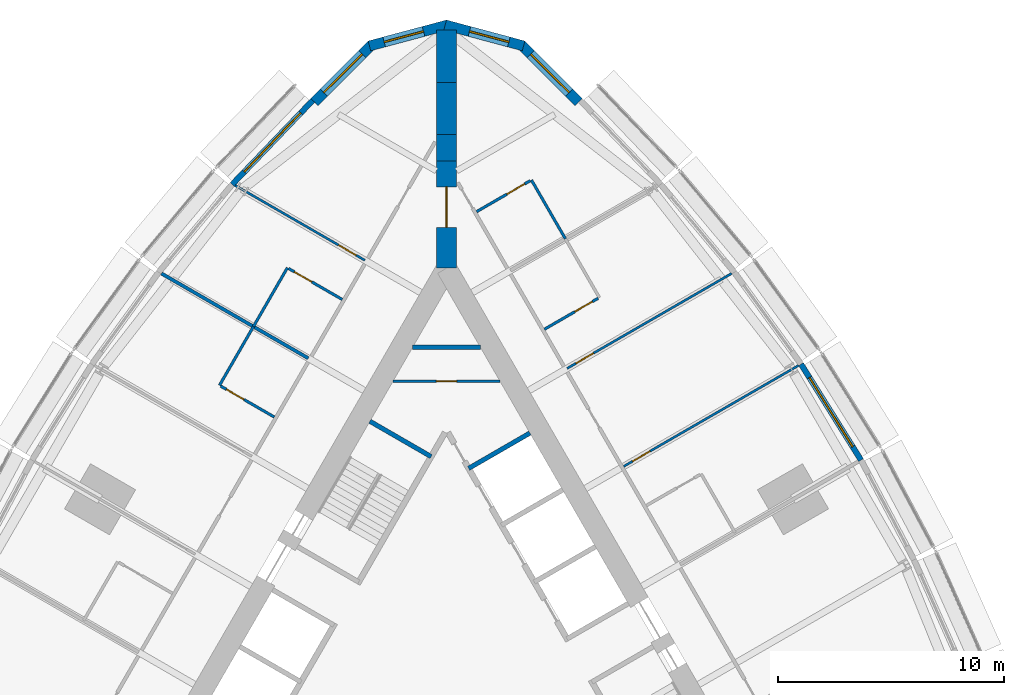
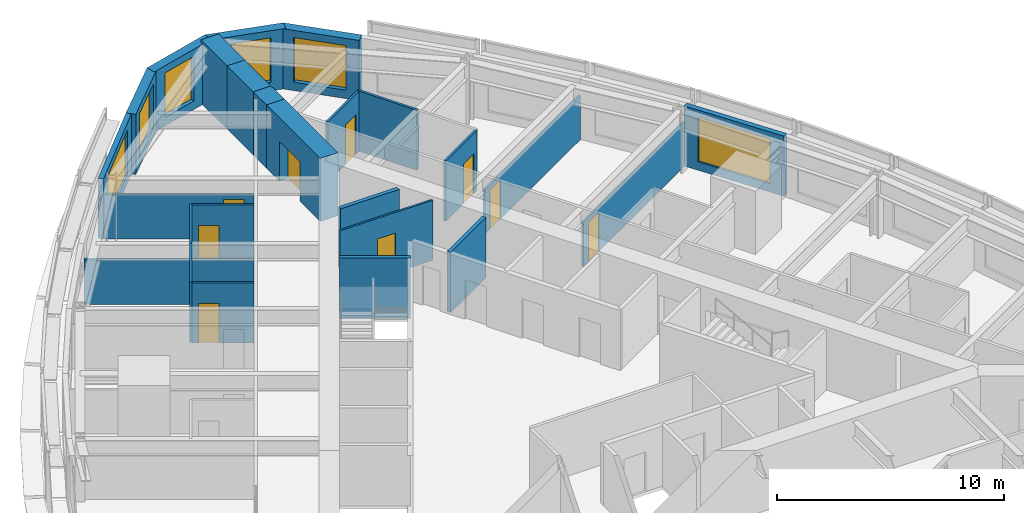
# One storey, part 12 of 14: 25 walls, 9 doors, 6 windows, 15 openings.
"""IFC4 building model written with IfcOpenShell, lengths in metres."""

from ifc_helpers import new_model, si_unit, direction, frame, frame_2d, origin, place, context, subcontext, project, spatial, polyline, rectangle, outline, extrude, material, layer, layer_set, type_object, element, fill, save


model = new_model("IFC4")

# Units and contexts
model_context = context("Model", 3, precision=1e-05, world=origin(), true_north=direction((0.0, 1.0)))
body_context = subcontext(model_context, "Body", "Model", "MODEL_VIEW")
ifc_project = project(units=[si_unit("LENGTHUNIT", "METRE"), si_unit("AREAUNIT", "SQUARE_METRE"), si_unit("VOLUMEUNIT", "CUBIC_METRE"), si_unit("PLANEANGLEUNIT", "RADIAN"), si_unit("MASSUNIT", "GRAM", prefix="KILO")], contexts=[model_context])

# Site, building, storey
site_placement = place(None, origin())
site = spatial("IfcSite", under=ifc_project, at=site_placement, CompositionType="ELEMENT")
building_placement = place(site_placement, origin())
building = spatial("IfcBuilding", under=site, at=building_placement, Name="Trikona Tower", CompositionType="ELEMENT")
storey_placement = place(building_placement, frame((0.0, 0.0, 182.699951171875)))
storey = spatial("IfcBuildingStorey", under=building, at=storey_placement, Name="L49", CompositionType="ELEMENT", Elevation=182.699951171875)

# Wall, opening, door
ifc_material_1 = material(Name="Metal stud and cement board", Category="gypsum")
ifc_layer_1 = layer(ifc_material_1, 0.1201171875)
ifc_layer_set_1 = layer_set([ifc_layer_1], Name="Bathroom wall 120")
wall_type_1 = type_object("IfcWallType", Name="Bathroom wall 120", PredefinedType="PLUMBINGWALL", material=ifc_layer_set_1)
wall_1_placement = place(storey_placement, frame((4.32861328125, 16.35546875, 0.0), z_axis=(0.0, 0.0, 1.0), x_axis=(0.866035715982, 0.499982138324, 0.0)))
wall_1 = element("IfcWall", 1, at=wall_1_placement, inside=storey, type_object=wall_type_1, Name="Bathroom wall 4907.2", PredefinedType="PLUMBINGWALL", context=body_context, shape_type="SweptSolid", body=[
    extrude(rectangle(XDim=2.73974609375, YDim=0.1201171875, at=frame_2d((1.369873046875, 0.0))), origin(), (0.0, 0.0, 1.0), 3.235107421875),
])
opening_1_placement = place(wall_1_placement, frame((1.550048828125, 0.0, 0.0)))
opening_1 = element("IfcOpeningElement", 2, at=opening_1_placement, cuts=wall_1, Name="Opening D2", PredefinedType="OPENING", context=body_context, shape_type="SweptSolid", body=[
    extrude(rectangle(XDim=0.89990234375, YDim=2.1298828125, at=frame_2d((0.449951171875, 1.06494140625))), frame((0.0, 0.070068359375, 0.0), z_axis=(0.0, -1.0, 0.0), x_axis=(1.0, 0.0, 0.0)), (0.0, 0.0, 1.0), 0.14013671875),
])
ifc_material_2 = material(Name="Steel door frame with solid-core timber leaf", Category="steel")
door_type_1 = type_object("IfcDoorType", Name="Bathroom door 900x2130", OperationType="SLIDING_TO_LEFT", PredefinedType="DOOR", material=ifc_material_2)
door_1_placement = place(opening_1_placement, origin())
door_1 = element("IfcDoor", 3, at=door_1_placement, inside=storey, type_object=door_type_1, Name="Bathroom door 4907.2", OperationType="SLIDING_TO_LEFT", OverallHeight=2.1298828125, OverallWidth=0.89990234375, PredefinedType="DOOR", context=body_context, shape_type="SweptSolid", body=[
    extrude(rectangle(XDim=0.89990234375, YDim=2.1298828125, at=frame_2d((0.449951171875, 1.06494140625))), frame((0.0, 0.02490234375, 0.0), z_axis=(0.0, -1.0, 0.0), x_axis=(1.0, 0.0, 0.0)), (0.0, 0.0, 1.0), 0.050048828125),
])
fill(opening_1, door_1)

# Wall
wall_2_placement = place(storey_placement, frame((5.25341796875, 20.353515625, 0.0), z_axis=(0.0, 0.0, 1.0), x_axis=(-0.499990139034, 0.866031096941, 0.0)))
element("IfcWall", 4, at=wall_2_placement, inside=storey, type_object=wall_type_1, Name="Bathroom wall 4908", PredefinedType="PLUMBINGWALL", context=body_context, shape_type="SweptSolid", body=[
    extrude(rectangle(XDim=3.0, YDim=0.1201171875, at=frame_2d((1.5, 0.0))), origin(), (0.0, 0.0, 1.0), 3.235107421875),
])

# Wall, opening, door
wall_3_placement = place(storey_placement, frame((1.32861328125, 21.551513671875, 0.0), z_axis=(0.0, 0.0, 1.0), x_axis=(0.865997131366, 0.500048966069, 0.0)))
wall_3 = element("IfcWall", 5, at=wall_3_placement, inside=storey, type_object=wall_type_1, Name="Bathroom wall 4908", PredefinedType="PLUMBINGWALL", context=body_context, shape_type="SweptSolid", body=[
    extrude(rectangle(XDim=2.739990234375, YDim=0.1201171875, at=frame_2d((1.3701171875, 0.0))), origin(), (0.0, 0.0, 1.0), 3.235107421875),
])
opening_2_placement = place(wall_3_placement, frame((1.550048828125, 0.0, 0.0)))
opening_2 = element("IfcOpeningElement", 6, at=opening_2_placement, cuts=wall_3, Name="Opening D2", PredefinedType="OPENING", context=body_context, shape_type="SweptSolid", body=[
    extrude(rectangle(XDim=0.89990234375, YDim=2.1298828125, at=frame_2d((0.449951171875, 1.06494140625))), frame((0.0, 0.070068359375, 0.0), z_axis=(0.0, -1.0, 0.0), x_axis=(1.0, 0.0, 0.0)), (0.0, 0.0, 1.0), 0.14013671875),
])
door_2_placement = place(opening_2_placement, origin())
door_2 = element("IfcDoor", 7, at=door_2_placement, inside=storey, type_object=door_type_1, Name="Bathroom door 4908", OperationType="SLIDING_TO_LEFT", OverallHeight=2.1298828125, OverallWidth=0.89990234375, PredefinedType="DOOR", context=body_context, shape_type="SweptSolid", body=[
    extrude(rectangle(XDim=0.89990234375, YDim=2.1298828125, at=frame_2d((0.449951171875, 1.06494140625))), frame((0.0, 0.02490234375, 0.0), z_axis=(0.0, -1.0, 0.0), x_axis=(1.0, 0.0, 0.0)), (0.0, 0.0, 1.0), 0.050048828125),
])
fill(opening_2, door_2)

# Wall
wall_4_placement = place(storey_placement, frame((-7.03271484375, 19.071533203125, 0.0), z_axis=(0.0, 0.0, 1.0), x_axis=(-0.499990139034, -0.866031096941, 0.0)))
element("IfcWall", 8, at=wall_4_placement, inside=storey, type_object=wall_type_1, Name="Bathroom wall 4909.1", PredefinedType="PLUMBINGWALL", context=body_context, shape_type="SweptSolid", body=[
    extrude(rectangle(XDim=3.0, YDim=0.1201171875, at=frame_2d((1.5, 0.0))), origin(), (0.0, 0.0, 1.0), 3.235107421875),
])

# Wall, opening, door
wall_5_placement = place(storey_placement, frame((-4.60791015625, 17.67138671875, 0.0), z_axis=(0.0, 0.0, 1.0), x_axis=(-0.865997131366, 0.500048966069, 0.0)))
wall_5 = element("IfcWall", 9, at=wall_5_placement, inside=storey, type_object=wall_type_1, Name="Bathroom wall 4909.1", PredefinedType="PLUMBINGWALL", context=body_context, shape_type="SweptSolid", body=[
    extrude(rectangle(XDim=2.739990234375, YDim=0.1201171875, at=frame_2d((1.3701171875, 0.0))), origin(), (0.0, 0.0, 1.0), 3.235107421875),
])
opening_3_placement = place(wall_5_placement, frame((1.550048828125, 0.0, 0.0)))
opening_3 = element("IfcOpeningElement", 10, at=opening_3_placement, cuts=wall_5, Name="Opening D2", PredefinedType="OPENING", context=body_context, shape_type="SweptSolid", body=[
    extrude(rectangle(XDim=0.89990234375, YDim=2.1298828125, at=frame_2d((0.449951171875, 1.06494140625))), frame((0.0, 0.070068359375, 0.0), z_axis=(0.0, -1.0, 0.0), x_axis=(1.0, 0.0, 0.0)), (0.0, 0.0, 1.0), 0.14013671875),
])
door_3_placement = place(opening_3_placement, origin())
door_3 = element("IfcDoor", 11, at=door_3_placement, inside=storey, type_object=door_type_1, Name="Bathroom door 4909.1", OperationType="SLIDING_TO_LEFT", OverallHeight=2.1298828125, OverallWidth=0.89990234375, PredefinedType="DOOR", context=body_context, shape_type="SweptSolid", body=[
    extrude(rectangle(XDim=0.89990234375, YDim=2.1298828125, at=frame_2d((0.449951171875, 1.06494140625))), frame((0.0, 0.02490234375, 0.0), z_axis=(0.0, -1.0, 0.0), x_axis=(1.0, 0.0, 0.0)), (0.0, 0.0, 1.0), 0.050048828125),
])
fill(opening_3, door_3)

# Wall
wall_6_placement = place(storey_placement, frame((-8.53271484375, 16.473388671875, 0.0), z_axis=(0.0, 0.0, 1.0), x_axis=(-0.499990139034, -0.866031096941, 0.0)))
element("IfcWall", 12, at=wall_6_placement, inside=storey, type_object=wall_type_1, Name="Bathroom wall 4910.1", PredefinedType="PLUMBINGWALL", context=body_context, shape_type="SweptSolid", body=[
    extrude(rectangle(XDim=3.0, YDim=0.1201171875, at=frame_2d((1.5, 0.0))), origin(), (0.0, 0.0, 1.0), 3.235107421875),
])

# Wall, opening, door
wall_7_placement = place(storey_placement, frame((-7.60791015625, 12.475341796875, 0.0), z_axis=(0.0, 0.0, 1.0), x_axis=(-0.866035715982, 0.499982138324, 0.0)))
wall_7 = element("IfcWall", 13, at=wall_7_placement, inside=storey, type_object=wall_type_1, Name="Bathroom wall 4910.1", PredefinedType="PLUMBINGWALL", context=body_context, shape_type="SweptSolid", body=[
    extrude(rectangle(XDim=2.73974609375, YDim=0.1201171875, at=frame_2d((1.369873046875, 0.0))), origin(), (0.0, 0.0, 1.0), 3.235107421875),
])
opening_4_placement = place(wall_7_placement, frame((1.550048828125, 0.0, 0.0)))
opening_4 = element("IfcOpeningElement", 14, at=opening_4_placement, cuts=wall_7, Name="Opening D2", PredefinedType="OPENING", context=body_context, shape_type="SweptSolid", body=[
    extrude(rectangle(XDim=0.89990234375, YDim=2.1298828125, at=frame_2d((0.449951171875, 1.06494140625))), frame((0.0, 0.070068359375, 0.0), z_axis=(0.0, -1.0, 0.0), x_axis=(1.0, 0.0, 0.0)), (0.0, 0.0, 1.0), 0.14013671875),
])
door_4_placement = place(opening_4_placement, origin())
door_4 = element("IfcDoor", 15, at=door_4_placement, inside=storey, type_object=door_type_1, Name="Bathroom door 4910.1", OperationType="SLIDING_TO_LEFT", OverallHeight=2.1298828125, OverallWidth=0.89990234375, PredefinedType="DOOR", context=body_context, shape_type="SweptSolid", body=[
    extrude(rectangle(XDim=0.89990234375, YDim=2.1298828125, at=frame_2d((0.449951171875, 1.06494140625))), frame((0.0, 0.02490234375, 0.0), z_axis=(0.0, -1.0, 0.0), x_axis=(1.0, 0.0, 0.0)), (0.0, 0.0, 1.0), 0.050048828125),
])
fill(opening_4, door_4)

# Wall, opening, window
ifc_material_3 = material(Name="Brick-faced precast concrete", Category="masonry")
ifc_layer_2 = layer(ifc_material_3, 0.449951171875)
ifc_layer_set_2 = layer_set([ifc_layer_2], Name="Brick-faced corner wall 450")
wall_type_2 = type_object("IfcWallType", Name="Brick-faced corner wall 450", PredefinedType="SOLIDWALL", material=ifc_layer_set_2)
wall_8_placement = place(storey_placement, frame((5.8408203125, 26.39892578125, 0.0), z_axis=(0.0, 0.0, 1.0), x_axis=(-0.707106781187, 0.707106781187, 0.0)))
wall_8 = element("IfcWall", 16, at=wall_8_placement, inside=storey, type_object=wall_type_2, Name="External wall L49-20", PredefinedType="SOLIDWALL", context=body_context, shape_type="SweptSolid", body=[
    extrude(rectangle(XDim=3.586181640625, YDim=0.449951171875, at=frame_2d((1.79296875, 0.0))), origin(), (0.0, 0.0, 1.0), 3.235107421875),
])
opening_5_placement = place(wall_8_placement, frame((0.59326171875, 0.0, 0.449951171875)))
opening_5 = element("IfcOpeningElement", 17, at=opening_5_placement, cuts=wall_8, Name="Opening W2424", PredefinedType="OPENING", context=body_context, shape_type="SweptSolid", body=[
    extrude(rectangle(XDim=2.39990234375, YDim=2.39990234375, at=frame_2d((1.199951171875, 1.199951171875))), frame((0.0, 0.23486328125, 0.0), z_axis=(0.0, -1.0, 0.0), x_axis=(1.0, 0.0, 0.0)), (0.0, 0.0, 1.0), 0.469970703125),
])
ifc_material_4 = material(Name="Aluminium-framed double glazing", Category="aluminium")
window_type_1 = type_object("IfcWindowType", Name="Window 2400x2400", PartitioningType="SINGLE_PANEL", PredefinedType="WINDOW", material=ifc_material_4)
window_1_placement = place(opening_5_placement, origin())
window_1 = element("IfcWindow", 18, at=window_1_placement, inside=storey, type_object=window_type_1, Name="Window 4908", OverallHeight=2.39990234375, OverallWidth=2.39990234375, PartitioningType="SINGLE_PANEL", PredefinedType="WINDOW", context=body_context, shape_type="SweptSolid", body=[
    extrude(rectangle(XDim=2.39990234375, YDim=2.39990234375, at=frame_2d((1.199951171875, 1.199951171875))), frame((0.0, 0.030029296875, 0.0), z_axis=(0.0, -1.0, 0.0), x_axis=(1.0, 0.0, 0.0)), (0.0, 0.0, 1.0), 0.06005859375),
])
fill(opening_5, window_1)

wall_9_placement = place(storey_placement, frame((3.406005859375, 28.876708984375, 0.0), z_axis=(0.0, 0.0, 1.0), x_axis=(-0.965924653531, 0.258823421857, 0.0)))
wall_9 = element("IfcWall", 19, at=wall_9_placement, inside=storey, type_object=wall_type_2, Name="External wall L49-21", PredefinedType="SOLIDWALL", context=body_context, shape_type="SweptSolid", body=[
    extrude(outline(polyline([(3.58642578125, 0.22509765625), (3.526611328125, 0.22509765625), (3.035400390625, 0.09326171875), (3.0, 0.22509765625), (0.0, 0.22509765625), (0.0, -0.22509765625), (3.58642578125, -0.22509765625), (3.58642578125, 0.22509765625)])), origin(), (0.0, 0.0, 1.0), 3.235107421875),
])
opening_6_placement = place(wall_9_placement, frame((0.6748046875, 0.0, 0.449951171875)))
opening_6 = element("IfcOpeningElement", 20, at=opening_6_placement, cuts=wall_9, Name="Opening W1824", PredefinedType="OPENING", context=body_context, shape_type="SweptSolid", body=[
    extrude(rectangle(XDim=1.800048828125, YDim=2.39990234375, at=frame_2d((0.89990234375, 1.199951171875))), frame((0.0, 0.23486328125, 0.0), z_axis=(0.0, -1.0, 0.0), x_axis=(1.0, 0.0, 0.0)), (0.0, 0.0, 1.0), 0.469970703125),
])
ifc_material_5 = material(Name="Aluminium-framed double glazing", Category="aluminium")
window_type_2 = type_object("IfcWindowType", Name="Window 1800x2400", PartitioningType="SINGLE_PANEL", PredefinedType="WINDOW", material=ifc_material_5)
window_2_placement = place(opening_6_placement, origin())
window_2 = element("IfcWindow", 21, at=window_2_placement, inside=storey, type_object=window_type_2, Name="Window 4908", OverallHeight=2.39990234375, OverallWidth=1.800048828125, PartitioningType="SINGLE_PANEL", PredefinedType="WINDOW", context=body_context, shape_type="SweptSolid", body=[
    extrude(rectangle(XDim=1.800048828125, YDim=2.39990234375, at=frame_2d((0.89990234375, 1.199951171875))), frame((0.0, 0.030029296875, 0.0), z_axis=(0.0, -1.0, 0.0), x_axis=(1.0, 0.0, 0.0)), (0.0, 0.0, 1.0), 0.06005859375),
])
fill(opening_6, window_2)

wall_10_placement = place(storey_placement, frame((0.05810546875, 29.804931640625, 0.0), z_axis=(0.0, 0.0, 1.0), x_axis=(-0.965924653531, -0.258823421857, 0.0)))
wall_10 = element("IfcWall", 22, at=wall_10_placement, inside=storey, type_object=wall_type_2, Name="External wall L49-22", PredefinedType="SOLIDWALL", context=body_context, shape_type="SweptSolid", body=[
    extrude(outline(polyline([(3.58642578125, 0.22509765625), (0.58642578125, 0.22509765625), (0.551025390625, 0.09326171875), (0.0595703125, 0.22509765625), (0.0, 0.22509765625), (0.0, -0.22509765625), (3.58642578125, -0.22509765625), (3.58642578125, 0.22509765625)])), origin(), (0.0, 0.0, 1.0), 3.235107421875),
])
opening_7_placement = place(wall_10_placement, frame((1.111328125, 0.0, 0.449951171875)))
opening_7 = element("IfcOpeningElement", 23, at=opening_7_placement, cuts=wall_10, Name="Opening W1824", PredefinedType="OPENING", context=body_context, shape_type="SweptSolid", body=[
    extrude(rectangle(XDim=1.800048828125, YDim=2.39990234375, at=frame_2d((0.89990234375, 1.199951171875))), frame((0.0, 0.23486328125, 0.0), z_axis=(0.0, -1.0, 0.0), x_axis=(1.0, 0.0, 0.0)), (0.0, 0.0, 1.0), 0.469970703125),
])
window_3_placement = place(opening_7_placement, origin())
window_3 = element("IfcWindow", 24, at=window_3_placement, inside=storey, type_object=window_type_2, Name="Window 4909", OverallHeight=2.39990234375, OverallWidth=1.800048828125, PartitioningType="SINGLE_PANEL", PredefinedType="WINDOW", context=body_context, shape_type="SweptSolid", body=[
    extrude(rectangle(XDim=1.800048828125, YDim=2.39990234375, at=frame_2d((0.89990234375, 1.199951171875))), frame((0.0, 0.030029296875, 0.0), z_axis=(0.0, -1.0, 0.0), x_axis=(1.0, 0.0, 0.0)), (0.0, 0.0, 1.0), 0.06005859375),
])
fill(opening_7, window_3)

wall_11_placement = place(storey_placement, frame((-3.304931640625, 28.934814453125, 0.0), z_axis=(0.0, 0.0, 1.0), x_axis=(-0.707106781187, -0.707106781187, 0.0)))
wall_11 = element("IfcWall", 25, at=wall_11_placement, inside=storey, type_object=wall_type_2, Name="External wall L49-23", PredefinedType="SOLIDWALL", context=body_context, shape_type="SweptSolid", body=[
    extrude(rectangle(XDim=3.586181640625, YDim=0.449951171875, at=frame_2d((1.79296875, 0.0))), origin(), (0.0, 0.0, 1.0), 3.235107421875),
])
opening_8_placement = place(wall_11_placement, frame((0.59326171875, 0.0, 0.449951171875)))
opening_8 = element("IfcOpeningElement", 26, at=opening_8_placement, cuts=wall_11, Name="Opening W2424", PredefinedType="OPENING", context=body_context, shape_type="SweptSolid", body=[
    extrude(rectangle(XDim=2.39990234375, YDim=2.39990234375, at=frame_2d((1.199951171875, 1.199951171875))), frame((0.0, 0.23486328125, 0.0), z_axis=(0.0, -1.0, 0.0), x_axis=(1.0, 0.0, 0.0)), (0.0, 0.0, 1.0), 0.469970703125),
])
window_4_placement = place(opening_8_placement, origin())
window_4 = element("IfcWindow", 27, at=window_4_placement, inside=storey, type_object=window_type_1, Name="Window 4909", OverallHeight=2.39990234375, OverallWidth=2.39990234375, PartitioningType="SINGLE_PANEL", PredefinedType="WINDOW", context=body_context, shape_type="SweptSolid", body=[
    extrude(rectangle(XDim=2.39990234375, YDim=2.39990234375, at=frame_2d((1.199951171875, 1.199951171875))), frame((0.0, 0.030029296875, 0.0), z_axis=(0.0, -1.0, 0.0), x_axis=(1.0, 0.0, 0.0)), (0.0, 0.0, 1.0), 0.06005859375),
])
fill(opening_8, window_4)

# Wall, opening, door
ifc_material_6 = material(Name="Concrete f'c 10000 psi", Category="concrete")
ifc_layer_3 = layer(ifc_material_6, 0.89990234375)
ifc_layer_set_3 = layer_set([ifc_layer_3], Name="Buttress wall 900")
wall_type_3 = type_object("IfcWallType", Name="Buttress wall 900", PredefinedType="SHEAR", material=ifc_layer_set_3)
wall_12_placement = place(storey_placement, frame((0.0, 19.052490234375, 0.0), z_axis=(0.0, 0.0, 1.0), x_axis=(0.0, 1.0, 0.0)))
wall_12 = element("IfcWall", 28, at=wall_12_placement, inside=storey, type_object=wall_type_3, Name="Buttress wall 2", PredefinedType="SHEAR", context=body_context, shape_type="SweptSolid", body=[
    extrude(rectangle(XDim=4.74609375, YDim=0.89990234375, at=frame_2d((2.373046875, 0.0))), origin(), (0.0, 0.0, 1.0), 3.400146484375),
])
opening_9_placement = place(wall_12_placement, frame((1.800048828125, 0.0, 0.0)))
opening_9 = element("IfcOpeningElement", 29, at=opening_9_placement, cuts=wall_12, Name="Opening D10", PredefinedType="OPENING", context=body_context, shape_type="SweptSolid", body=[
    extrude(rectangle(XDim=1.800048828125, YDim=2.1298828125, at=frame_2d((0.89990234375, 1.06494140625))), frame((0.0, 0.4599609375, 0.0), z_axis=(0.0, -1.0, 0.0), x_axis=(1.0, 0.0, 0.0)), (0.0, 0.0, 1.0), 0.919921875),
])
ifc_material_7 = material(Name="Hollow metal door and frame", Category="steel")
door_type_2 = type_object("IfcDoorType", Name="Cross-corridor door pair 1800x2130", OperationType="DOUBLE_DOOR_DOUBLE_SWING", PredefinedType="DOOR", material=ifc_material_7)
door_5_placement = place(opening_9_placement, origin())
door_5 = element("IfcDoor", 30, at=door_5_placement, inside=storey, type_object=door_type_2, Name="Cross-corridor door 2", OperationType="DOUBLE_DOOR_DOUBLE_SWING", OverallHeight=2.1298828125, OverallWidth=1.800048828125, PredefinedType="DOOR", context=body_context, shape_type="SweptSolid", body=[
    extrude(rectangle(XDim=1.800048828125, YDim=2.1298828125, at=frame_2d((0.89990234375, 1.06494140625))), frame((0.0, 0.02490234375, 0.0), z_axis=(0.0, -1.0, 0.0), x_axis=(1.0, 0.0, 0.0)), (0.0, 0.0, 1.0), 0.050048828125),
])
fill(opening_9, door_5)

# Walls
wall_13_placement = place(storey_placement, frame((0.0, 23.798583984375, 0.0), z_axis=(0.0, 0.0, 1.0), x_axis=(0.0, 1.0, 0.0)))
element("IfcWall", 31, at=wall_13_placement, inside=storey, type_object=wall_type_3, Name="Buttress wall 2 part 2", PredefinedType="SHEAR", context=body_context, shape_type="SweptSolid", body=[
    extrude(rectangle(XDim=1.15478515625, YDim=0.89990234375, at=frame_2d((0.577392578125, 0.0))), origin(), (0.0, 0.0, 1.0), 3.400146484375),
])
wall_14_placement = place(storey_placement, frame((0.0, 24.953369140625, 0.0), z_axis=(0.0, 0.0, 1.0), x_axis=(0.0, 1.0, 0.0)))
element("IfcWall", 32, at=wall_14_placement, inside=storey, type_object=wall_type_3, Name="Buttress wall 2 part 3", PredefinedType="SHEAR", context=body_context, shape_type="SweptSolid", body=[
    extrude(rectangle(XDim=2.309326171875, YDim=0.89990234375, at=frame_2d((1.15478515625, 0.0))), origin(), (0.0, 0.0, 1.0), 3.400146484375),
])
wall_15_placement = place(storey_placement, frame((0.0, 27.2626953125, 0.0), z_axis=(0.0, 0.0, 1.0), x_axis=(0.0, 1.0, 0.0)))
element("IfcWall", 33, at=wall_15_placement, inside=storey, type_object=wall_type_3, Name="Buttress wall 2 part 4", PredefinedType="SHEAR", context=body_context, shape_type="SweptSolid", body=[
    extrude(rectangle(XDim=2.3095703125, YDim=0.89990234375, at=frame_2d((1.15478515625, 0.0))), origin(), (0.0, 0.0, 1.0), 3.400146484375),
])

# Wall, opening, window
ifc_material_8 = material(Name="Insulated precast concrete spandrel panel", Category="concrete")
ifc_layer_4 = layer(ifc_material_8, 0.25)
ifc_layer_set_4 = layer_set([ifc_layer_4], Name="Inner skin wall 250")
wall_type_4 = type_object("IfcWallType", Name="Inner skin wall 250", PredefinedType="STANDARD", material=ifc_layer_set_4)
wall_16_placement = place(storey_placement, frame((18.31884765625, 10.5712890625, 0.0), z_axis=(0.0, 0.0, 1.0), x_axis=(-0.529990167382, 0.84800378683, 0.0)))
wall_16 = element("IfcWall", 34, at=wall_16_placement, inside=storey, type_object=wall_type_4, Name="External wall L49-16", PredefinedType="STANDARD", context=body_context, shape_type="SweptSolid", body=[
    extrude(rectangle(XDim=5.003173828125, YDim=0.25, at=frame_2d((2.50146484375, 0.0))), origin(), (0.0, 0.0, 1.0), 3.235107421875),
])
opening_10_placement = place(wall_16_placement, frame((0.701416015625, 0.0, 0.449951171875)))
opening_10 = element("IfcOpeningElement", 35, at=opening_10_placement, cuts=wall_16, Name="Opening W3624", PredefinedType="OPENING", context=body_context, shape_type="SweptSolid", body=[
    extrude(rectangle(XDim=3.60009765625, YDim=2.39990234375, at=frame_2d((1.800048828125, 1.199951171875))), frame((0.0, 0.135009765625, 0.0), z_axis=(0.0, -1.0, 0.0), x_axis=(1.0, 0.0, 0.0)), (0.0, 0.0, 1.0), 0.27001953125),
])
ifc_material_9 = material(Name="Aluminium-framed double glazing", Category="aluminium")
window_type_3 = type_object("IfcWindowType", Name="Window 3600x2400", PartitioningType="SINGLE_PANEL", PredefinedType="WINDOW", material=ifc_material_9)
window_5_placement = place(opening_10_placement, origin())
window_5 = element("IfcWindow", 36, at=window_5_placement, inside=storey, type_object=window_type_3, Name="Window 4907.1", OverallHeight=2.39990234375, OverallWidth=3.60009765625, PartitioningType="SINGLE_PANEL", PredefinedType="WINDOW", context=body_context, shape_type="SweptSolid", body=[
    extrude(rectangle(XDim=3.60009765625, YDim=2.39990234375, at=frame_2d((1.800048828125, 1.199951171875))), frame((0.0, 0.030029296875, 0.0), z_axis=(0.0, -1.0, 0.0), x_axis=(1.0, 0.0, 0.0)), (0.0, 0.0, 1.0), 0.06005859375),
])
fill(opening_10, window_5)

wall_17_placement = place(storey_placement, frame((-5.90966796875, 26.4716796875, 0.0), z_axis=(0.0, 0.0, 1.0), x_axis=(-0.691719937936, -0.722165858693, 0.0)))
wall_17 = element("IfcWall", 37, at=wall_17_placement, inside=storey, type_object=wall_type_4, Name="External wall L49-24", PredefinedType="STANDARD", context=body_context, shape_type="SweptSolid", body=[
    extrude(rectangle(XDim=5.148193359375, YDim=0.25, at=frame_2d((2.57421875, 0.0))), origin(), (0.0, 0.0, 1.0), 3.235107421875),
])
opening_11_placement = place(wall_17_placement, frame((0.77392578125, 0.0, 0.449951171875)))
opening_11 = element("IfcOpeningElement", 38, at=opening_11_placement, cuts=wall_17, Name="Opening W3624", PredefinedType="OPENING", context=body_context, shape_type="SweptSolid", body=[
    extrude(rectangle(XDim=3.60009765625, YDim=2.39990234375, at=frame_2d((1.800048828125, 1.199951171875))), frame((0.0, 0.135009765625, 0.0), z_axis=(0.0, -1.0, 0.0), x_axis=(1.0, 0.0, 0.0)), (0.0, 0.0, 1.0), 0.27001953125),
])
window_6_placement = place(opening_11_placement, origin())
window_6 = element("IfcWindow", 39, at=window_6_placement, inside=storey, type_object=window_type_3, Name="Window 4909", OverallHeight=2.39990234375, OverallWidth=3.60009765625, PartitioningType="SINGLE_PANEL", PredefinedType="WINDOW", context=body_context, shape_type="SweptSolid", body=[
    extrude(rectangle(XDim=3.60009765625, YDim=2.39990234375, at=frame_2d((1.800048828125, 1.199951171875))), frame((0.0, 0.030029296875, 0.0), z_axis=(0.0, -1.0, 0.0), x_axis=(1.0, 0.0, 0.0)), (0.0, 0.0, 1.0), 0.06005859375),
])
fill(opening_11, window_6)

# Walls
ifc_material_10 = material(Name="Metal stud and gypsum board, 1-hour acoustic", Category="gypsum")
ifc_layer_5 = layer(ifc_material_10, 0.14990234375)
ifc_layer_set_5 = layer_set([ifc_layer_5], Name="Party wall 150")
wall_type_5 = type_object("IfcWallType", Name="Party wall 150", PredefinedType="PARTITIONING", material=ifc_layer_set_5)
wall_18_placement = place(storey_placement, frame((-6.10791015625, 15.073486328125, 0.0), z_axis=(0.0, 0.0, 1.0), x_axis=(-0.866025567496, 0.499999716443, 0.0)))
element("IfcWall", 40, at=wall_18_placement, inside=storey, type_object=wall_type_5, Name="Partition L49 F3 u-10", PredefinedType="PARTITIONING", context=body_context, shape_type="SweptSolid", body=[
    extrude(rectangle(XDim=7.4951171875, YDim=0.14990234375, at=frame_2d((3.74755859375, 0.0))), origin(), (0.0, 0.0, 1.0), 2.38916015625),
])
ifc_material_11 = material(Name="Concrete f'c 8000 psi", Category="concrete")
ifc_layer_6 = layer(ifc_material_11, 0.199951171875)
ifc_layer_set_6 = layer_set([ifc_layer_6], Name="Shaft wall 200")
wall_type_6 = type_object("IfcWallType", Name="Shaft wall 200", PredefinedType="SOLIDWALL", material=ifc_layer_set_6)
wall_19_placement = place(storey_placement, frame((0.97900390625, 10.20703125, 0.0), z_axis=(0.0, 0.0, 1.0), x_axis=(0.866022959057, 0.500004234368, 0.0)))
element("IfcWall", 41, at=wall_19_placement, inside=storey, type_object=wall_type_6, Name="Shaft wall B6", PredefinedType="SOLIDWALL", context=body_context, shape_type="SweptSolid", body=[
    extrude(rectangle(XDim=3.125, YDim=0.199951171875, at=frame_2d((1.5625, 0.0))), origin(), (0.0, 0.0, 1.0), 3.235107421875),
])
wall_20_placement = place(storey_placement, frame((-1.501220703125, 15.552490234375, 0.0), z_axis=(0.0, 0.0, 1.0), x_axis=(1.0, 0.0, 0.0)))
element("IfcWall", 42, at=wall_20_placement, inside=storey, type_object=wall_type_6, Name="Riser wall L49-RS2", PredefinedType="SOLIDWALL", context=body_context, shape_type="SweptSolid", body=[
    extrude(rectangle(XDim=3.00244140625, YDim=0.199951171875, at=frame_2d((1.501220703125, 0.0))), origin(), (0.0, 0.0, 1.0), 3.235107421875),
])
ifc_material_12 = material(Name="Concrete f'c 8000 psi", Category="concrete")
ifc_layer_7 = layer(ifc_material_12, 0.199951171875)
ifc_layer_set_7 = layer_set([ifc_layer_7], Name="Shaft wall 200 load-bearing")
wall_type_7 = type_object("IfcWallType", Name="Shaft wall 200 load-bearing", PredefinedType="SOLIDWALL", material=ifc_layer_set_7)
wall_21_placement = place(storey_placement, frame((-0.678955078125, 10.7265625, 0.0), z_axis=(0.0, 0.0, 1.0), x_axis=(-0.866022959057, 0.500004234368, 0.0)))
element("IfcWall", 43, at=wall_21_placement, inside=storey, type_object=wall_type_7, Name="Shaft wall C1", PredefinedType="SOLIDWALL", context=body_context, shape_type="SweptSolid", body=[
    extrude(rectangle(XDim=3.125, YDim=0.199951171875, at=frame_2d((1.5625, 0.0))), origin(), (0.0, 0.0, 1.0), 3.235107421875),
])

# Wall, opening, door
ifc_material_13 = material(Name="Metal stud and gypsum board, acoustic", Category="gypsum")
ifc_layer_8 = layer(ifc_material_13, 0.10009765625)
ifc_layer_set_8 = layer_set([ifc_layer_8], Name="Suite partition 100")
wall_type_8 = type_object("IfcWallType", Name="Suite partition 100", PredefinedType="PARTITIONING", material=ifc_layer_set_8)
wall_22_placement = place(storey_placement, frame((7.82861328125, 10.293212890625, 0.0), z_axis=(0.0, 0.0, 1.0), x_axis=(0.866027015393, 0.499997208602, 0.0)))
wall_22 = element("IfcWall", 44, at=wall_22_placement, inside=storey, type_object=wall_type_8, Name="Suite partition L49 F2 u5", PredefinedType="PARTITIONING", context=body_context, shape_type="SweptSolid", body=[
    extrude(rectangle(XDim=8.92236328125, YDim=0.10009765625, at=frame_2d((4.461181640625, 0.0))), origin(), (0.0, 0.0, 1.0), 2.38916015625),
])
opening_12_placement = place(wall_22_placement, frame((0.449951171875, 0.0, 0.0)))
opening_12 = element("IfcOpeningElement", 45, at=opening_12_placement, cuts=wall_22, Name="Opening D13", PredefinedType="OPENING", context=body_context, shape_type="SweptSolid", body=[
    extrude(rectangle(XDim=0.89990234375, YDim=2.1298828125, at=frame_2d((0.449951171875, 1.06494140625))), frame((0.0, 0.06005859375, 0.0), z_axis=(0.0, -1.0, 0.0), x_axis=(1.0, 0.0, 0.0)), (0.0, 0.0, 1.0), 0.1201171875),
])
ifc_material_14 = material(Name="Steel door frame with solid-core timber leaf", Category="steel")
door_type_3 = type_object("IfcDoorType", Name="Suite door 900x2130", OperationType="SINGLE_SWING_LEFT", PredefinedType="DOOR", material=ifc_material_14)
door_6_placement = place(opening_12_placement, origin())
door_6 = element("IfcDoor", 46, at=door_6_placement, inside=storey, type_object=door_type_3, Name="Suite door 4907", OperationType="SINGLE_SWING_LEFT", OverallHeight=2.1298828125, OverallWidth=0.89990234375, PredefinedType="DOOR", context=body_context, shape_type="SweptSolid", body=[
    extrude(rectangle(XDim=0.89990234375, YDim=2.1298828125, at=frame_2d((0.449951171875, 1.06494140625))), frame((0.0, 0.02490234375, 0.0), z_axis=(0.0, -1.0, 0.0), x_axis=(1.0, 0.0, 0.0)), (0.0, 0.0, 1.0), 0.050048828125),
])
fill(opening_12, door_6)

wall_23_placement = place(storey_placement, frame((5.32861328125, 14.623291015625, 0.0), z_axis=(0.0, 0.0, 1.0), x_axis=(0.866011723728, 0.500023693804, 0.0)))
wall_23 = element("IfcWall", 47, at=wall_23_placement, inside=storey, type_object=wall_type_8, Name="Suite partition L49 F2 u10", PredefinedType="PARTITIONING", context=body_context, shape_type="SweptSolid", body=[
    extrude(rectangle(XDim=8.39501953125, YDim=0.10009765625, at=frame_2d((4.197509765625, 0.0))), origin(), (0.0, 0.0, 1.0), 2.38916015625),
])
opening_13_placement = place(wall_23_placement, frame((0.449951171875, 0.0, 0.0)))
opening_13 = element("IfcOpeningElement", 48, at=opening_13_placement, cuts=wall_23, Name="Opening D13", PredefinedType="OPENING", context=body_context, shape_type="SweptSolid", body=[
    extrude(rectangle(XDim=0.89990234375, YDim=2.1298828125, at=frame_2d((0.449951171875, 1.06494140625))), frame((0.0, 0.06005859375, 0.0), z_axis=(0.0, -1.0, 0.0), x_axis=(1.0, 0.0, 0.0)), (0.0, 0.0, 1.0), 0.1201171875),
])
door_7_placement = place(opening_13_placement, origin())
door_7 = element("IfcDoor", 49, at=door_7_placement, inside=storey, type_object=door_type_3, Name="Suite door 4907", OperationType="SINGLE_SWING_LEFT", OverallHeight=2.1298828125, OverallWidth=0.89990234375, PredefinedType="DOOR", context=body_context, shape_type="SweptSolid", body=[
    extrude(rectangle(XDim=0.89990234375, YDim=2.1298828125, at=frame_2d((0.449951171875, 1.06494140625))), frame((0.0, 0.02490234375, 0.0), z_axis=(0.0, -1.0, 0.0), x_axis=(1.0, 0.0, 0.0)), (0.0, 0.0, 1.0), 0.050048828125),
])
fill(opening_13, door_7)

wall_24_placement = place(storey_placement, frame((-3.60791015625, 19.403564453125, 0.0), z_axis=(0.0, 0.0, 1.0), x_axis=(-0.866015989873, 0.500016305018, 0.0)))
wall_24 = element("IfcWall", 50, at=wall_24_placement, inside=storey, type_object=wall_type_8, Name="Suite partition L49 F3 u-15", PredefinedType="PARTITIONING", context=body_context, shape_type="SweptSolid", body=[
    extrude(rectangle(XDim=6.616455078125, YDim=0.10009765625, at=frame_2d((3.30810546875, 0.0))), origin(), (0.0, 0.0, 1.0), 2.38916015625),
])
opening_14_placement = place(wall_24_placement, frame((0.449951171875, 0.0, 0.0)))
opening_14 = element("IfcOpeningElement", 51, at=opening_14_placement, cuts=wall_24, Name="Opening D13", PredefinedType="OPENING", context=body_context, shape_type="SweptSolid", body=[
    extrude(rectangle(XDim=0.89990234375, YDim=2.1298828125, at=frame_2d((0.449951171875, 1.06494140625))), frame((0.0, 0.06005859375, 0.0), z_axis=(0.0, -1.0, 0.0), x_axis=(1.0, 0.0, 0.0)), (0.0, 0.0, 1.0), 0.1201171875),
])
door_8_placement = place(opening_14_placement, origin())
door_8 = element("IfcDoor", 52, at=door_8_placement, inside=storey, type_object=door_type_3, Name="Suite door 4909", OperationType="SINGLE_SWING_LEFT", OverallHeight=2.1298828125, OverallWidth=0.89990234375, PredefinedType="DOOR", context=body_context, shape_type="SweptSolid", body=[
    extrude(rectangle(XDim=0.89990234375, YDim=2.1298828125, at=frame_2d((0.449951171875, 1.06494140625))), frame((0.0, 0.02490234375, 0.0), z_axis=(0.0, -1.0, 0.0), x_axis=(1.0, 0.0, 0.0)), (0.0, 0.0, 1.0), 0.050048828125),
])
fill(opening_14, door_8)

wall_25_placement = place(storey_placement, frame((-2.3671875, 14.052490234375, 0.0), z_axis=(0.0, 0.0, 1.0), x_axis=(1.0, 0.0, 0.0)))
wall_25 = element("IfcWall", 53, at=wall_25_placement, inside=storey, type_object=wall_type_8, Name="Store partition L49-RS2", PredefinedType="PARTITIONING", context=body_context, shape_type="SweptSolid", body=[
    extrude(rectangle(XDim=4.734375, YDim=0.10009765625, at=frame_2d((2.3671875, 0.0))), origin(), (0.0, 0.0, 1.0), 3.235107421875),
])
opening_15_placement = place(wall_25_placement, frame((1.9169921875, 0.0, 0.0)))
opening_15 = element("IfcOpeningElement", 54, at=opening_15_placement, cuts=wall_25, Name="Opening D15", PredefinedType="OPENING", context=body_context, shape_type="SweptSolid", body=[
    extrude(rectangle(XDim=0.89990234375, YDim=2.1298828125, at=frame_2d((0.449951171875, 1.06494140625))), frame((0.0, 0.06005859375, 0.0), z_axis=(0.0, -1.0, 0.0), x_axis=(1.0, 0.0, 0.0)), (0.0, 0.0, 1.0), 0.1201171875),
])
ifc_material_15 = material(Name="Steel door frame with solid-core timber leaf", Category="steel")
door_type_4 = type_object("IfcDoorType", Name="Store door 900x2130", OperationType="SINGLE_SWING_LEFT", PredefinedType="DOOR", material=ifc_material_15)
door_9_placement = place(opening_15_placement, origin())
door_9 = element("IfcDoor", 55, at=door_9_placement, inside=storey, type_object=door_type_4, Name="Door Storage STO", OperationType="SINGLE_SWING_LEFT", OverallHeight=2.1298828125, OverallWidth=0.89990234375, PredefinedType="DOOR", context=body_context, shape_type="SweptSolid", body=[
    extrude(rectangle(XDim=0.89990234375, YDim=2.1298828125, at=frame_2d((0.449951171875, 1.06494140625))), frame((0.0, 0.02490234375, 0.0), z_axis=(0.0, -1.0, 0.0), x_axis=(1.0, 0.0, 0.0)), (0.0, 0.0, 1.0), 0.050048828125),
])
fill(opening_15, door_9)

save(model, "model.ifc")
